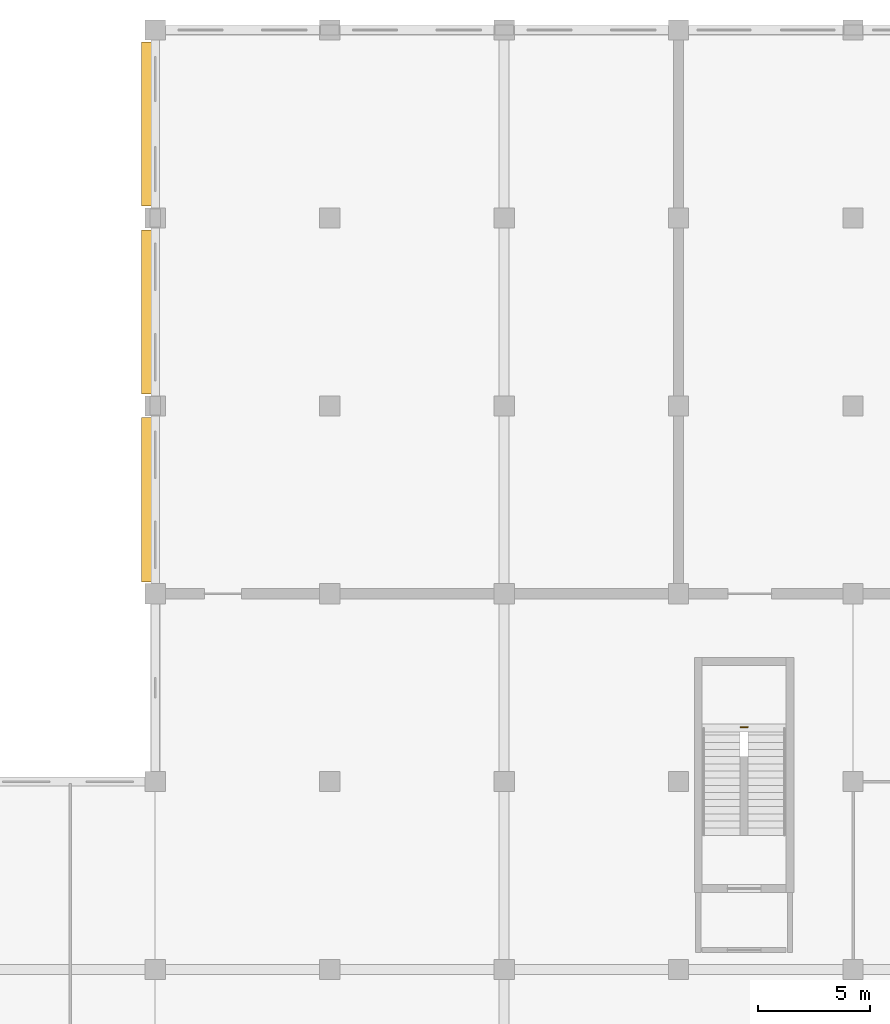
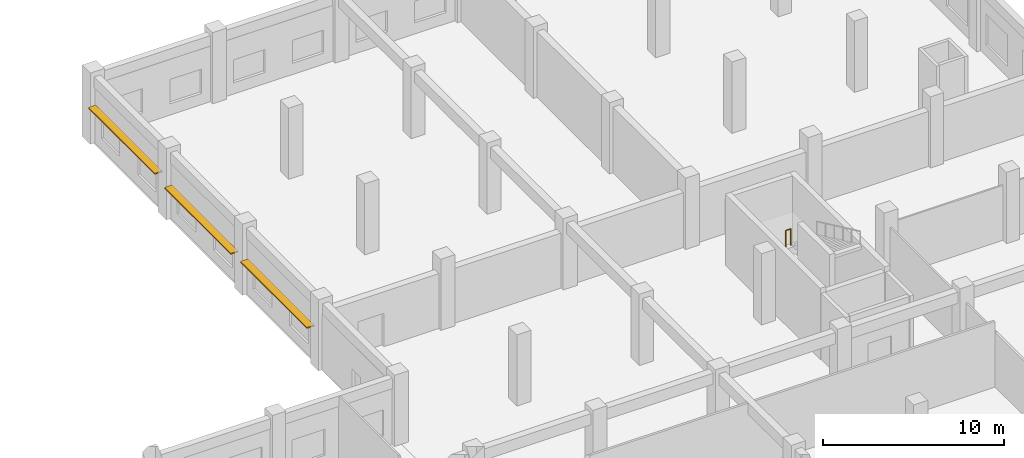
# One storey, part 74 of 79: 3 shading devices, 1 railing.
"""IFC4 building model written with IfcOpenShell, lengths in metres."""

from ifc_helpers import new_model, si_unit, direction, frame, origin, origin_2d, place, context, subcontext, project, spatial, rectangle, circle, extrude, material, layer, layer_set, type_object, element, save


model = new_model("IFC4")

# Units and contexts
model_context = context("Model", 3, precision=1e-05, world=origin(), true_north=direction((0.0, 1.0)))
body_context = subcontext(model_context, "Body", "Model", "MODEL_VIEW")
ifc_project = project(units=[si_unit("LENGTHUNIT", "METRE"), si_unit("AREAUNIT", "SQUARE_METRE"), si_unit("VOLUMEUNIT", "CUBIC_METRE"), si_unit("PLANEANGLEUNIT", "RADIAN"), si_unit("MASSUNIT", "GRAM", prefix="KILO"), si_unit("THERMODYNAMICTEMPERATUREUNIT", "KELVIN"), si_unit("POWERUNIT", "WATT")], contexts=[model_context])

# Site, building, storey
site_placement = place(None, origin())
site = spatial("IfcSite", under=ifc_project, at=site_placement, CompositionType="ELEMENT")
building_placement = place(site_placement, origin())
building = spatial("IfcBuilding", under=site, at=building_placement, Name="Srebrne Nadtorze General Hospital", CompositionType="ELEMENT")
storey_placement = place(building_placement, frame((0.0, 0.0, 4.800048828125)))
storey = spatial("IfcBuildingStorey", under=building, at=storey_placement, Name="L01", CompositionType="ELEMENT", Elevation=4.800048828125)

# Shading devices
ifc_material_1 = material(Name="Anodised Aluminium", Category="aluminium")
ifc_layer = layer(ifc_material_1, 0.080078125)
ifc_layer_set = layer_set([ifc_layer], Name="Anodised Aluminium")
shading_device_type = type_object("IfcShadingDeviceType", Name="Hisashi horizontal aluminium sunshade", PredefinedType="JALOUSIE", material=ifc_layer_set)
for number, where, z_axis, x_axis, name in (
    (1, (23.02001953125, 96.60009765625, 2.31982421875), (0.0, 0.0, 1.0), (1.0, 0.0, 0.0), "Hisashi horizontal sunshade eave LV-104"),
    (2, (23.02001953125, 105.0, 2.219970703125), (0.0, 0.0, 1.0), (1.0, 0.0, 0.0), "Hisashi horizontal sunshade eave LV-105"),
    (3, (23.02001953125, 113.39990234375, 2.52001953125), (0.0, 0.0, 1.0), (1.0, 0.0, 0.0), "Hisashi horizontal sunshade eave LV-106"),
):
    element("IfcShadingDevice", number, at=place(storey_placement, frame(where, z_axis=z_axis, x_axis=x_axis)), inside=storey, type_object=shading_device_type, Name=name, PredefinedType="JALOUSIE", context=body_context, shape_type="SweptSolid", body=[
        extrude(rectangle(XDim=0.47998046875, YDim=7.340087890625, at=origin_2d()), origin(), (0.0, 0.0, 1.0), 0.080078125),
    ])

# Railing
ifc_material_2 = material(Name="Stainless Steel 316", Category="steel")
railing_type = type_object("IfcRailingType", Name="Stairwell safety guard 1120", PredefinedType="BALUSTRADE", material=ifc_material_2)
railing_placement = place(storey_placement, frame((49.56494140625, 86.43994140625, 2.39990234375)))
element("IfcRailing", 4, at=railing_placement, inside=storey, type_object=railing_type, Name="Half landing well guard ST-02-L01", PredefinedType="BALUSTRADE", context=body_context, shape_type="SweptSolid", body=[
    extrude(circle(Radius=0.02392578125, at=origin_2d()), frame((0.0, 0.0, 1.09619140625), z_axis=(1.0, 0.0, 0.0), x_axis=(0.0, 1.0, 0.0)), (0.0, 0.0, 1.0), 0.320068359375),
    extrude(circle(Radius=0.02099609375, at=origin_2d()), origin(), (0.0, 0.0, 1.0), 1.072021484375),
    extrude(circle(Radius=0.02099609375, at=origin_2d()), frame((0.320068359375, 0.0, 0.0)), (0.0, 0.0, 1.0), 1.072021484375),
])

save(model, "model.ifc")
